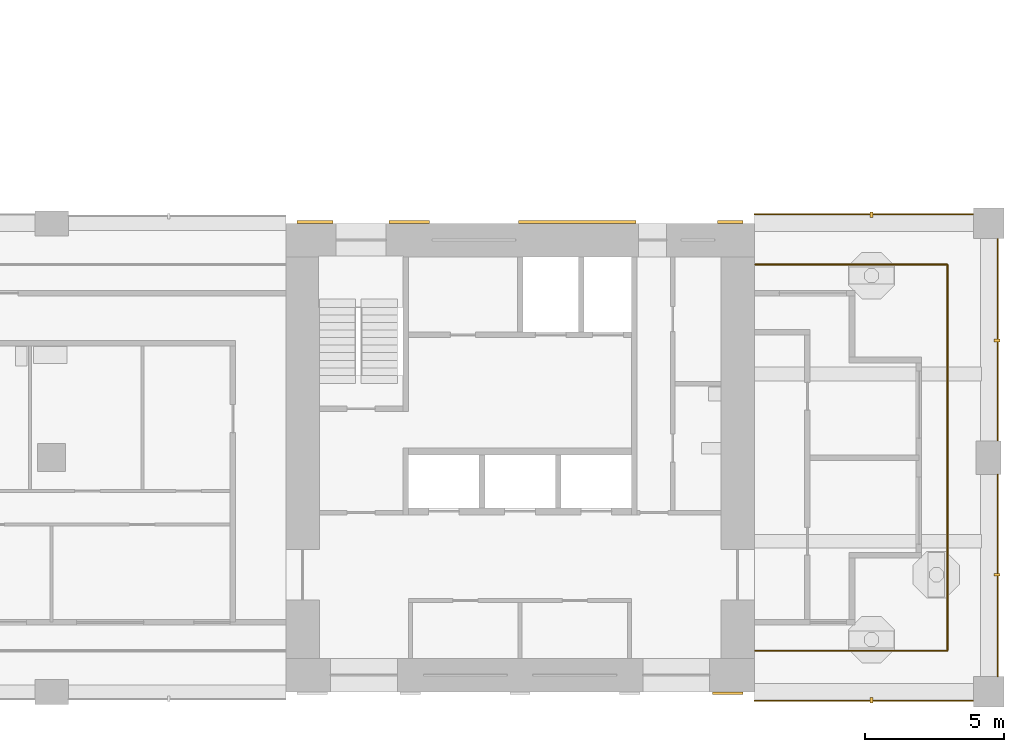
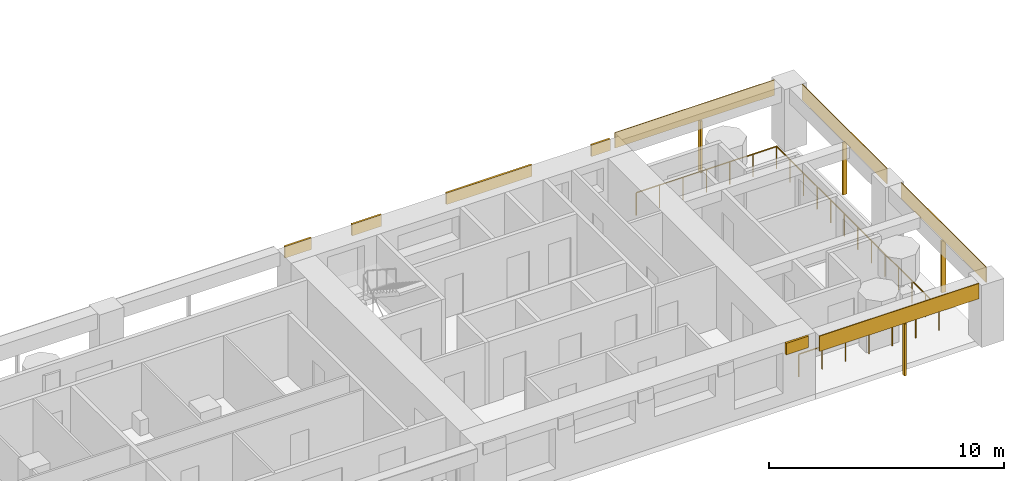
# One storey, part 9 of 13: 13 shading devices, 1 railing.
"""IFC4 building model written with IfcOpenShell, lengths in metres."""

from ifc_helpers import new_model, si_unit, direction, frame, origin, origin_2d, place, context, subcontext, project, spatial, rectangle, circle, extrude, material, layer, layer_set, material_profile, profile_set, type_object, element, save


model = new_model("IFC4")

# Units and contexts
model_context = context("Model", 3, precision=1e-05, world=origin(), true_north=direction((0.0, 1.0)))
body_context = subcontext(model_context, "Body", "Model", "MODEL_VIEW")
ifc_project = project(units=[si_unit("LENGTHUNIT", "METRE"), si_unit("AREAUNIT", "SQUARE_METRE"), si_unit("VOLUMEUNIT", "CUBIC_METRE"), si_unit("PLANEANGLEUNIT", "RADIAN"), si_unit("MASSUNIT", "GRAM", prefix="KILO")], contexts=[model_context])

# Site, building, storey
site_placement = place(None, origin())
site = spatial("IfcSite", under=ifc_project, at=site_placement, CompositionType="ELEMENT")
building_placement = place(site_placement, origin())
building = spatial("IfcBuilding", under=site, at=building_placement, Name="Vermilion Gate Residences", CompositionType="ELEMENT")
storey_placement = place(building_placement, frame((0.0, 0.0, 186.199951171875)))
storey = spatial("IfcBuildingStorey", under=building, at=storey_placement, Name="L48", CompositionType="ELEMENT", Elevation=186.199951171875)

# Railing
ifc_material_1 = material(Name="Stainless steel and toughened glass", Category="steel")
railing_type = type_object("IfcRailingType", Name="LOGGIA GUARD STEEL AND GLASS 1200", PredefinedType="GUARDRAIL", material=ifc_material_1)
railing_placement = place(storey_placement, frame((58.822021484375, 9.875, 0.0)))
element("IfcRailing", 1, at=railing_placement, inside=storey, type_object=railing_type, Name="Loggia guard", PredefinedType="GUARDRAIL", context=body_context, shape_type="SweptSolid", body=[
    extrude(circle(Radius=0.030029296875, at=origin_2d()), frame((0.0, 0.0, 1.169921875), z_axis=(1.0, 0.0, 0.0), x_axis=(0.0, 1.0, 0.0)), (0.0, 0.0, 1.0), 6.903076171875),
    extrude(circle(Radius=0.030029296875, at=origin_2d()), frame((6.903076171875, 0.0, 1.169921875), z_axis=(0.0, 1.0, 0.0), x_axis=(-1.0, 0.0, 0.0)), (0.0, 0.0, 1.0), 13.85009765625),
    extrude(circle(Radius=0.030029296875, at=origin_2d()), frame((6.903076171875, 13.85009765625, 1.169921875), z_axis=(-1.0, 0.0, 0.0), x_axis=(0.0, -1.0, 0.0)), (0.0, 0.0, 1.0), 6.903076171875),
    extrude(circle(Radius=0.02490234375, at=origin_2d()), origin(), (0.0, 0.0, 1.0), 1.139892578125),
    extrude(circle(Radius=0.02490234375, at=origin_2d()), frame((1.150390625, 0.0, 0.0)), (0.0, 0.0, 1.0), 1.139892578125),
    extrude(circle(Radius=0.02490234375, at=origin_2d()), frame((2.301025390625, 0.0, 0.0)), (0.0, 0.0, 1.0), 1.139892578125),
    extrude(circle(Radius=0.02490234375, at=origin_2d()), frame((3.45166015625, 0.0, 0.0)), (0.0, 0.0, 1.0), 1.139892578125),
    extrude(circle(Radius=0.02490234375, at=origin_2d()), frame((4.60205078125, 0.0, 0.0)), (0.0, 0.0, 1.0), 1.139892578125),
    extrude(circle(Radius=0.02490234375, at=origin_2d()), frame((5.75244140625, 0.0, 0.0)), (0.0, 0.0, 1.0), 1.139892578125),
    extrude(circle(Radius=0.02490234375, at=origin_2d()), frame((6.903076171875, 0.0, 0.0)), (0.0, 0.0, 1.0), 1.139892578125),
    extrude(circle(Radius=0.02490234375, at=origin_2d()), frame((6.903076171875, 1.154296875, 0.0)), (0.0, 0.0, 1.0), 1.139892578125),
    extrude(circle(Radius=0.02490234375, at=origin_2d()), frame((6.903076171875, 2.308349609375, 0.0)), (0.0, 0.0, 1.0), 1.139892578125),
    extrude(circle(Radius=0.02490234375, at=origin_2d()), frame((6.903076171875, 3.46240234375, 0.0)), (0.0, 0.0, 1.0), 1.139892578125),
    extrude(circle(Radius=0.02490234375, at=origin_2d()), frame((6.903076171875, 4.61669921875, 0.0)), (0.0, 0.0, 1.0), 1.139892578125),
    extrude(circle(Radius=0.02490234375, at=origin_2d()), frame((6.903076171875, 5.77099609375, 0.0)), (0.0, 0.0, 1.0), 1.139892578125),
    extrude(circle(Radius=0.02490234375, at=origin_2d()), frame((6.903076171875, 6.925048828125, 0.0)), (0.0, 0.0, 1.0), 1.139892578125),
    extrude(circle(Radius=0.02490234375, at=origin_2d()), frame((6.903076171875, 8.0791015625, 0.0)), (0.0, 0.0, 1.0), 1.139892578125),
    extrude(circle(Radius=0.02490234375, at=origin_2d()), frame((6.903076171875, 9.2333984375, 0.0)), (0.0, 0.0, 1.0), 1.139892578125),
    extrude(circle(Radius=0.02490234375, at=origin_2d()), frame((6.903076171875, 10.3876953125, 0.0)), (0.0, 0.0, 1.0), 1.139892578125),
    extrude(circle(Radius=0.02490234375, at=origin_2d()), frame((6.903076171875, 11.541748046875, 0.0)), (0.0, 0.0, 1.0), 1.139892578125),
    extrude(circle(Radius=0.02490234375, at=origin_2d()), frame((6.903076171875, 12.69580078125, 0.0)), (0.0, 0.0, 1.0), 1.139892578125),
    extrude(circle(Radius=0.02490234375, at=origin_2d()), frame((6.903076171875, 13.85009765625, 0.0)), (0.0, 0.0, 1.0), 1.139892578125),
    extrude(circle(Radius=0.02490234375, at=origin_2d()), frame((5.75244140625, 13.85009765625, 0.0)), (0.0, 0.0, 1.0), 1.139892578125),
    extrude(circle(Radius=0.02490234375, at=origin_2d()), frame((4.60205078125, 13.85009765625, 0.0)), (0.0, 0.0, 1.0), 1.139892578125),
    extrude(circle(Radius=0.02490234375, at=origin_2d()), frame((3.45166015625, 13.85009765625, 0.0)), (0.0, 0.0, 1.0), 1.139892578125),
    extrude(circle(Radius=0.02490234375, at=origin_2d()), frame((2.301025390625, 13.85009765625, 0.0)), (0.0, 0.0, 1.0), 1.139892578125),
    extrude(circle(Radius=0.02490234375, at=origin_2d()), frame((1.150390625, 13.85009765625, 0.0)), (0.0, 0.0, 1.0), 1.139892578125),
    extrude(circle(Radius=0.02490234375, at=origin_2d()), frame((0.0, 13.85009765625, 0.0)), (0.0, 0.0, 1.0), 1.139892578125),
])

# Shading devices
ifc_material_2 = material(Name="Perforated terracotta", Category="masonry")
ifc_layer_1 = layer(ifc_material_2, 0.0400390625)
ifc_layer_set_1 = layer_set([ifc_layer_1], Name="PERFORATED TERRACOTTA SCREEN 40")
shading_device_type_1 = type_object("IfcShadingDeviceType", Name="PERFORATED TERRACOTTA SCREEN 40", PredefinedType="SHUTTER", material=ifc_layer_set_1)
shading_device_1_placement = place(storey_placement, frame((62.72509765625, 8.080078125, 2.419921875), z_axis=(0.0, 0.0, 1.0), x_axis=(1.0, 0.0, 0.0)))
element("IfcShadingDevice", 2, at=shading_device_1_placement, inside=storey, type_object=shading_device_type_1, Name="SCREEN", PredefinedType="SHUTTER", context=body_context, shape_type="SweptSolid", body=[
    extrude(rectangle(XDim=7.85009765625, YDim=0.0400390625, at=origin_2d()), origin(), (0.0, 0.0, 1.0), 0.800048828125),
])
for number, where, z_axis, x_axis, name in (
    (3, (67.52001953125, 12.574951171875, 2.419921875), (0.0, 0.0, 1.0), (0.0, 1.0, 0.0), "SCREEN"),
    (4, (67.52001953125, 21.02490234375, 2.419921875), (0.0, 0.0, 1.0), (0.0, 1.0, 0.0), "SCREEN"),
):
    element("IfcShadingDevice", number, at=place(storey_placement, frame(where, z_axis=z_axis, x_axis=x_axis)), inside=storey, type_object=shading_device_type_1, Name=name, PredefinedType="SHUTTER", context=body_context, shape_type="SweptSolid", body=[
        extrude(rectangle(XDim=7.25, YDim=0.0400390625, at=origin_2d()), origin(), (0.0, 0.0, 1.0), 0.800048828125),
    ])
shading_device_2_placement = place(storey_placement, frame((62.72509765625, 25.52001953125, 2.419921875), z_axis=(0.0, 0.0, 1.0), x_axis=(-1.0, 0.0, 0.0)))
element("IfcShadingDevice", 5, at=shading_device_2_placement, inside=storey, type_object=shading_device_type_1, Name="SCREEN", PredefinedType="SHUTTER", context=body_context, shape_type="SweptSolid", body=[
    extrude(rectangle(XDim=7.85009765625, YDim=0.0400390625, at=origin_2d()), origin(), (0.0, 0.0, 1.0), 0.800048828125),
])
ifc_material_3 = material(Name="Extruded terracotta", Category="masonry")
ifc_material_profile = material_profile(ifc_material_3, rectangle(XDim=0.199951171875, YDim=0.10009765625, at=origin_2d()), Name="BAGUETTE 100 X 200")
ifc_profile_set = profile_set([ifc_material_profile], Name="Extruded terracotta")
shading_device_type_2 = type_object("IfcShadingDeviceType", Name="TERRACOTTA BAGUETTE 100 X 200", PredefinedType="JALOUSIE", material=ifc_profile_set)
for number, where, z_axis, x_axis, name in (
    (6, (63.0, 8.10009765625, -0.280029296875), (0.0, 0.0, 1.0), (0.0, 1.0, 0.0), "BAGUETTE"),
    (7, (67.5, 12.60009765625, -0.280029296875), (0.0, 0.0, 1.0), (-1.0, 0.0, 0.0), "BAGUETTE"),
    (8, (67.5, 21.0, -0.280029296875), (0.0, 0.0, 1.0), (-1.0, 0.0, 0.0), "BAGUETTE"),
    (9, (63.0, 25.5, -0.280029296875), (0.0, 0.0, 1.0), (0.0, -1.0, 0.0), "BAGUETTE"),
):
    element("IfcShadingDevice", number, at=place(storey_placement, frame(where, z_axis=z_axis, x_axis=x_axis)), inside=storey, type_object=shading_device_type_2, Name=name, PredefinedType="JALOUSIE", context=body_context, shape_type="SweptSolid", body=[
        extrude(rectangle(XDim=0.199951171875, YDim=0.10009765625, at=origin_2d()), origin(), (0.0, 0.0, 1.0), 2.7001953125),
    ])
ifc_material_4 = material(Name="Extruded terracotta", Category="masonry")
ifc_layer_2 = layer(ifc_material_4, 0.10009765625)
ifc_layer_set_2 = layer_set([ifc_layer_2], Name="TERRACOTTA SPANDREL BAND 600 X 100")
shading_device_type_3 = type_object("IfcShadingDeviceType", Name="TERRACOTTA SPANDREL BAND 600 X 100", PredefinedType="USERDEFINED", material=ifc_layer_set_2)
shading_device_3_placement = place(storey_placement, frame((57.85009765625, 8.35009765625, 2.6201171875), z_axis=(0.0, 0.0, 1.0), x_axis=(1.0, 0.0, 0.0)))
element("IfcShadingDevice", 10, at=shading_device_3_placement, inside=storey, type_object=shading_device_type_3, Name="SPANDREL BAND", ObjectType="BAND", PredefinedType="USERDEFINED", context=body_context, shape_type="SweptSolid", body=[
    extrude(rectangle(XDim=1.10009765625, YDim=0.10009765625, at=origin_2d()), origin(), (0.0, 0.0, 1.0), 0.60009765625),
])
shading_device_4_placement = place(storey_placement, frame((43.050048828125, 25.25, 2.6201171875), z_axis=(0.0, 0.0, 1.0), x_axis=(1.0, 0.0, 0.0)))
element("IfcShadingDevice", 11, at=shading_device_4_placement, inside=storey, type_object=shading_device_type_3, Name="SPANDREL BAND", ObjectType="BAND", PredefinedType="USERDEFINED", context=body_context, shape_type="SweptSolid", body=[
    extrude(rectangle(XDim=1.300048828125, YDim=0.10009765625, at=origin_2d()), origin(), (0.0, 0.0, 1.0), 0.60009765625),
])
shading_device_5_placement = place(storey_placement, frame((46.425048828125, 25.25, 2.6201171875), z_axis=(0.0, 0.0, 1.0), x_axis=(1.0, 0.0, 0.0)))
element("IfcShadingDevice", 12, at=shading_device_5_placement, inside=storey, type_object=shading_device_type_3, Name="SPANDREL BAND", ObjectType="BAND", PredefinedType="USERDEFINED", context=body_context, shape_type="SweptSolid", body=[
    extrude(rectangle(XDim=1.449951171875, YDim=0.10009765625, at=origin_2d()), origin(), (0.0, 0.0, 1.0), 0.60009765625),
])
shading_device_6_placement = place(storey_placement, frame((52.449951171875, 25.25, 2.6201171875), z_axis=(0.0, 0.0, 1.0), x_axis=(1.0, 0.0, 0.0)))
element("IfcShadingDevice", 13, at=shading_device_6_placement, inside=storey, type_object=shading_device_type_3, Name="SPANDREL BAND", ObjectType="BAND", PredefinedType="USERDEFINED", context=body_context, shape_type="SweptSolid", body=[
    extrude(rectangle(XDim=4.199951171875, YDim=0.10009765625, at=origin_2d()), origin(), (0.0, 0.0, 1.0), 0.60009765625),
])
shading_device_7_placement = place(storey_placement, frame((57.9375, 25.25, 2.6201171875), z_axis=(0.0, 0.0, 1.0), x_axis=(1.0, 0.0, 0.0)))
element("IfcShadingDevice", 14, at=shading_device_7_placement, inside=storey, type_object=shading_device_type_3, Name="SPANDREL BAND", ObjectType="BAND", PredefinedType="USERDEFINED", context=body_context, shape_type="SweptSolid", body=[
    extrude(rectangle(XDim=0.925048828125, YDim=0.10009765625, at=origin_2d()), origin(), (0.0, 0.0, 1.0), 0.60009765625),
])

save(model, "model.ifc")
